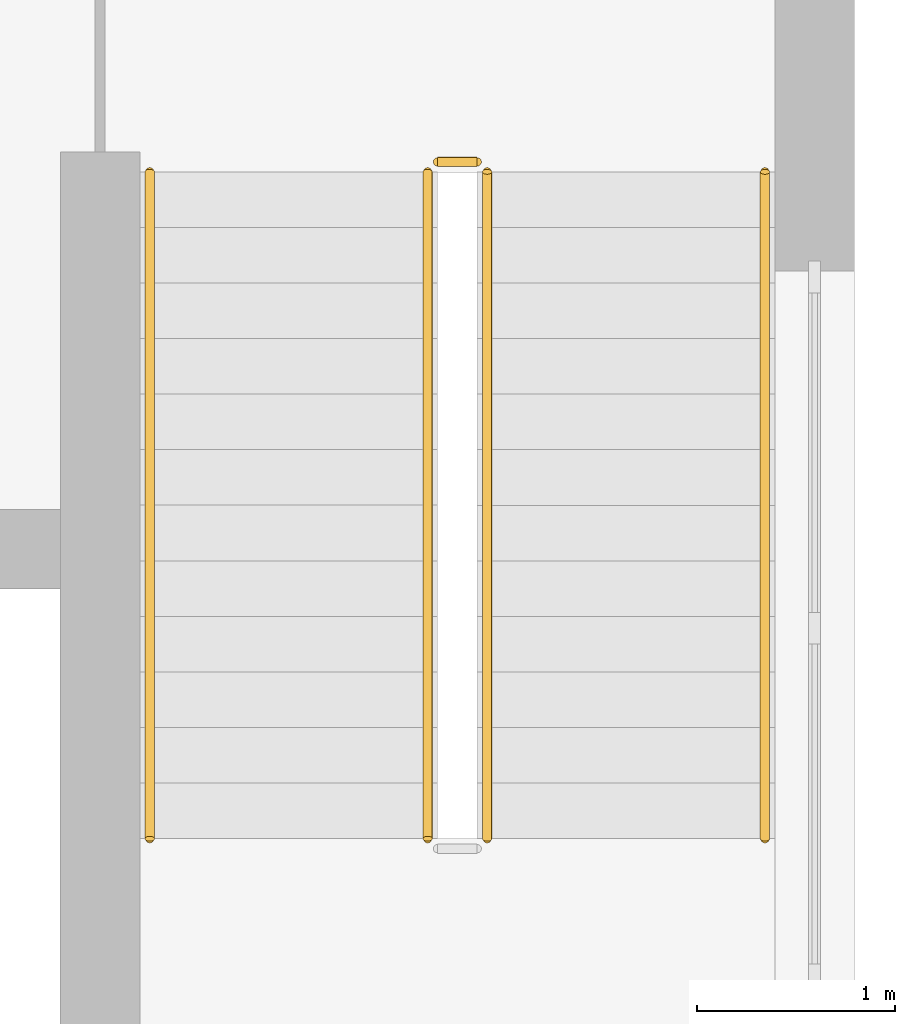
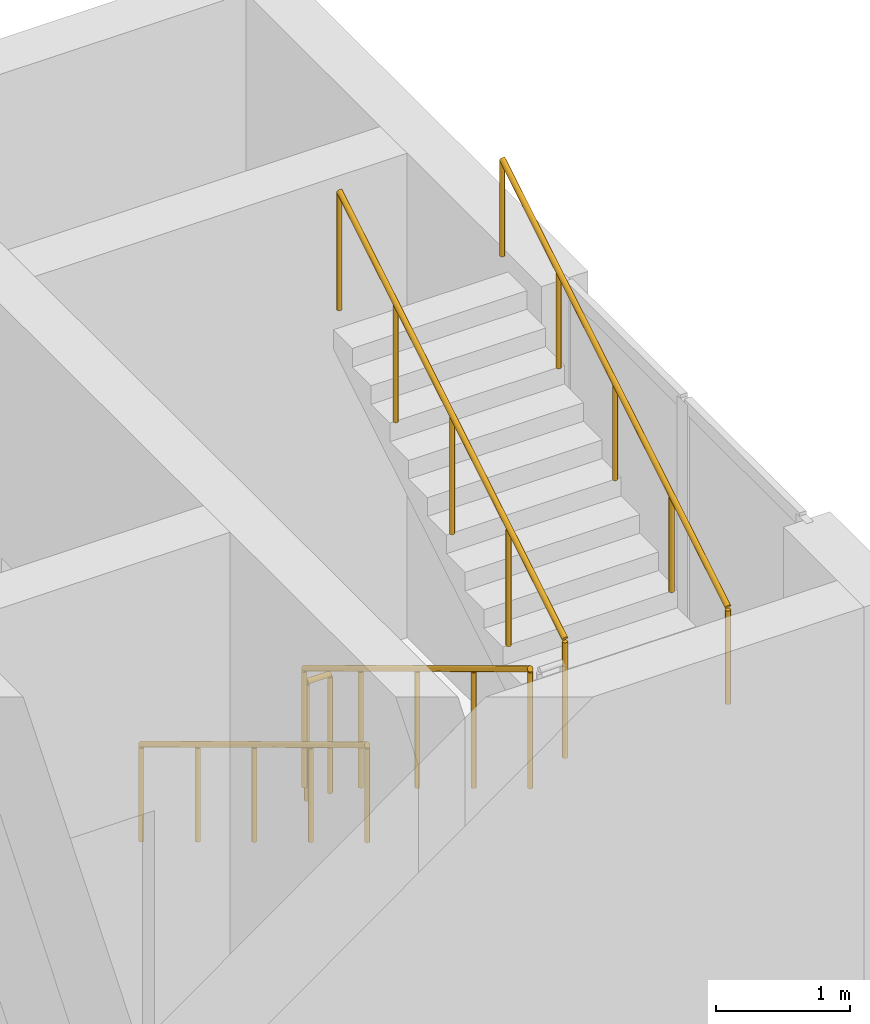
# One storey, part 167 of 169: 5 railings.
"""IFC4 building model written with IfcOpenShell, lengths in metres."""

from ifc_helpers import new_model, si_unit, direction, frame, origin, origin_2d, place, context, subcontext, project, spatial, circle, extrude, material, type_object, element, save


model = new_model("IFC4")

# Units and contexts
model_context = context("Model", 3, precision=1e-05, world=origin(), true_north=direction((0.0, 1.0)))
body_context = subcontext(model_context, "Body", "Model", "MODEL_VIEW")
ifc_project = project(units=[si_unit("LENGTHUNIT", "METRE"), si_unit("AREAUNIT", "SQUARE_METRE"), si_unit("VOLUMEUNIT", "CUBIC_METRE"), si_unit("PLANEANGLEUNIT", "RADIAN"), si_unit("MASSUNIT", "GRAM", prefix="KILO")], contexts=[model_context])

# Site, building, storey
site_placement = place(None, origin())
site = spatial("IfcSite", under=ifc_project, at=site_placement, CompositionType="ELEMENT")
building_placement = place(site_placement, origin())
building = spatial("IfcBuilding", under=site, at=building_placement, Name="Verrick Yard Athletic Hall", CompositionType="ELEMENT")
storey_placement = place(building_placement, frame((0.0, 0.0, 4.39990234375)))
storey = spatial("IfcBuildingStorey", under=building, at=storey_placement, Name="L01", CompositionType="ELEMENT", Elevation=4.39990234375)

# Railings
ifc_material = material(Name="Stainless steel", Category="steel")
railing_type_1 = type_object("IfcRailingType", Name="Stair and core guard 1100", PredefinedType="GUARDRAIL", material=ifc_material)
railing_1_placement = place(storey_placement, frame((163.85009765625, 23.300048828125, 0.16943359375)))
element("IfcRailing", 1, at=railing_1_placement, inside=storey, type_object=railing_type_1, Name="L01 Plinth south-east stair guard 1", PredefinedType="GUARDRAIL", context=body_context, shape_type="SweptSolid", body=[
    extrude(circle(Radius=0.02392578125, at=origin_2d()), frame((0.0, 0.0, 1.076171875), z_axis=(0.0, -0.855836976705, 0.517245656632), x_axis=(1.0, 0.0, 0.0)), (0.0, 0.0, 1.0), 3.926025390625),
    extrude(circle(Radius=0.02099609375, at=origin_2d()), origin(), (0.0, 0.0, 1.0), 1.052001953125),
    extrude(circle(Radius=0.02099609375, at=origin_2d()), frame((0.0, -0.840087890625, 0.5078125)), (0.0, 0.0, 1.0), 1.052001953125),
    extrude(circle(Radius=0.02099609375, at=origin_2d()), frame((0.0, -1.68017578125, 1.015380859375)), (0.0, 0.0, 1.0), 1.052001953125),
    extrude(circle(Radius=0.02099609375, at=origin_2d()), frame((0.0, -2.52001953125, 1.52294921875)), (0.0, 0.0, 1.0), 1.052001953125),
    extrude(circle(Radius=0.02099609375, at=origin_2d()), frame((0.0, -3.360107421875, 2.03076171875)), (0.0, 0.0, 1.0), 1.052001953125),
])
railing_2_placement = place(storey_placement, frame((164.14990234375, 19.93994140625, 2.369384765625)))
element("IfcRailing", 2, at=railing_2_placement, inside=storey, type_object=railing_type_1, Name="L01 Plinth south-east stair guard 3", PredefinedType="GUARDRAIL", context=body_context, shape_type="SweptSolid", body=[
    extrude(circle(Radius=0.02392578125, at=origin_2d()), frame((0.0, 0.0, 1.076171875), z_axis=(0.0, 0.855836976705, 0.517245656632), x_axis=(-1.0, 0.0, 0.0)), (0.0, 0.0, 1.0), 3.926025390625),
    extrude(circle(Radius=0.02099609375, at=origin_2d()), origin(), (0.0, 0.0, 1.0), 1.052001953125),
    extrude(circle(Radius=0.02099609375, at=origin_2d()), frame((0.0, 0.840087890625, 0.5078125)), (0.0, 0.0, 1.0), 1.052001953125),
    extrude(circle(Radius=0.02099609375, at=origin_2d()), frame((0.0, 1.68017578125, 1.015380859375)), (0.0, 0.0, 1.0), 1.052001953125),
    extrude(circle(Radius=0.02099609375, at=origin_2d()), frame((0.0, 2.52001953125, 1.52294921875)), (0.0, 0.0, 1.0), 1.052001953125),
    extrude(circle(Radius=0.02099609375, at=origin_2d()), frame((0.0, 3.360107421875, 2.03076171875)), (0.0, 0.0, 1.0), 1.052001953125),
])
railing_3_placement = place(storey_placement, frame((163.89990234375, 23.35009765625, 0.0)))
element("IfcRailing", 3, at=railing_3_placement, inside=storey, type_object=railing_type_1, Name="L01 Plinth south-east stair guard 4", PredefinedType="GUARDRAIL", context=body_context, shape_type="SweptSolid", body=[
    extrude(circle(Radius=0.02392578125, at=origin_2d()), frame((0.0, 0.0, 1.076171875), z_axis=(1.0, 0.0, 0.0), x_axis=(0.0, 1.0, 0.0)), (0.0, 0.0, 1.0), 0.2001953125),
    extrude(circle(Radius=0.02099609375, at=origin_2d()), origin(), (0.0, 0.0, 1.0), 1.052001953125),
    extrude(circle(Radius=0.02099609375, at=origin_2d()), frame((0.2001953125, 0.0, 0.0)), (0.0, 0.0, 1.0), 1.052001953125),
])
railing_type_2 = type_object("IfcRailingType", Name="Stair handrail 900", PredefinedType="HANDRAIL", material=ifc_material)
railing_4_placement = place(storey_placement, frame((162.449951171875, 23.300048828125, 0.16943359375)))
element("IfcRailing", 4, at=railing_4_placement, inside=storey, type_object=railing_type_2, Name="L01 Plinth south-east stair handrail 1", PredefinedType="HANDRAIL", context=body_context, shape_type="SweptSolid", body=[
    extrude(circle(Radius=0.02392578125, at=origin_2d()), frame((0.0, 0.0, 0.8759765625), z_axis=(0.0, -0.855836976705, 0.517245656632), x_axis=(1.0, 0.0, 0.0)), (0.0, 0.0, 1.0), 3.926025390625),
    extrude(circle(Radius=0.02099609375, at=origin_2d()), origin(), (0.0, 0.0, 1.0), 0.851806640625),
    extrude(circle(Radius=0.02099609375, at=origin_2d()), frame((0.0, -0.840087890625, 0.5078125)), (0.0, 0.0, 1.0), 0.851806640625),
    extrude(circle(Radius=0.02099609375, at=origin_2d()), frame((0.0, -1.68017578125, 1.015380859375)), (0.0, 0.0, 1.0), 0.851806640625),
    extrude(circle(Radius=0.02099609375, at=origin_2d()), frame((0.0, -2.52001953125, 1.52294921875)), (0.0, 0.0, 1.0), 0.851806640625),
    extrude(circle(Radius=0.02099609375, at=origin_2d()), frame((0.0, -3.360107421875, 2.03076171875)), (0.0, 0.0, 1.0), 0.851806640625),
])
railing_5_placement = place(storey_placement, frame((165.550048828125, 19.93994140625, 2.369384765625)))
element("IfcRailing", 5, at=railing_5_placement, inside=storey, type_object=railing_type_2, Name="L01 Plinth south-east stair handrail 2", PredefinedType="HANDRAIL", context=body_context, shape_type="SweptSolid", body=[
    extrude(circle(Radius=0.02392578125, at=origin_2d()), frame((0.0, 0.0, 0.8759765625), z_axis=(0.0, 0.855836976705, 0.517245656632), x_axis=(-1.0, 0.0, 0.0)), (0.0, 0.0, 1.0), 3.926025390625),
    extrude(circle(Radius=0.02099609375, at=origin_2d()), origin(), (0.0, 0.0, 1.0), 0.851806640625),
    extrude(circle(Radius=0.02099609375, at=origin_2d()), frame((0.0, 0.840087890625, 0.5078125)), (0.0, 0.0, 1.0), 0.851806640625),
    extrude(circle(Radius=0.02099609375, at=origin_2d()), frame((0.0, 1.68017578125, 1.015380859375)), (0.0, 0.0, 1.0), 0.851806640625),
    extrude(circle(Radius=0.02099609375, at=origin_2d()), frame((0.0, 2.52001953125, 1.52294921875)), (0.0, 0.0, 1.0), 0.851806640625),
    extrude(circle(Radius=0.02099609375, at=origin_2d()), frame((0.0, 3.360107421875, 2.03076171875)), (0.0, 0.0, 1.0), 0.851806640625),
])

save(model, "model.ifc")
